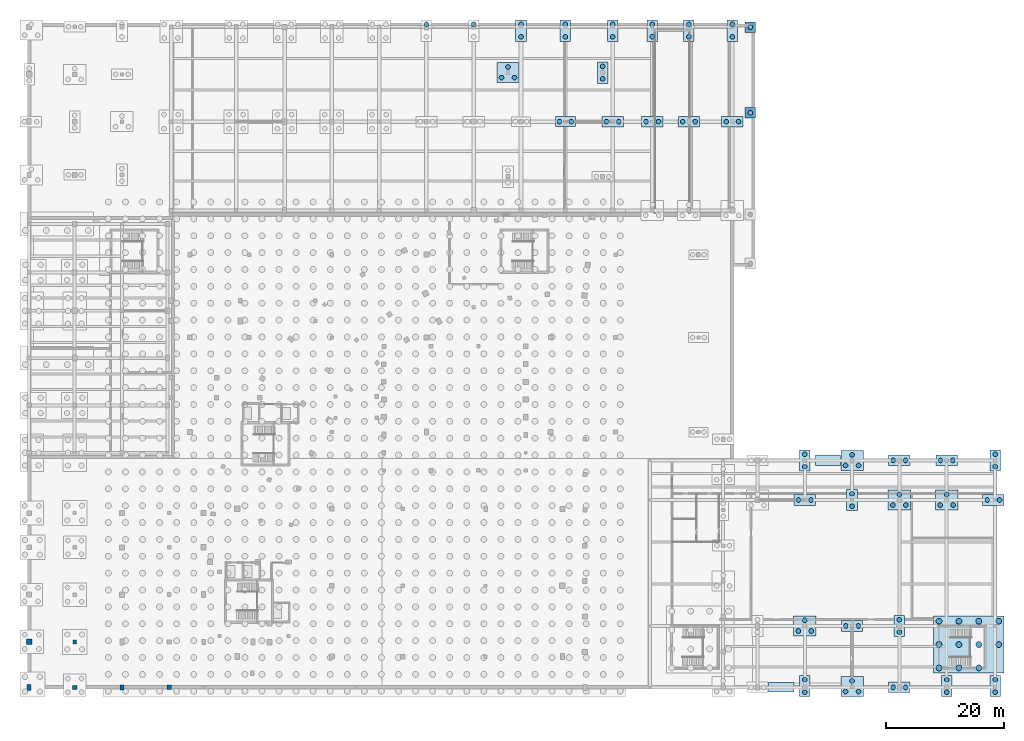
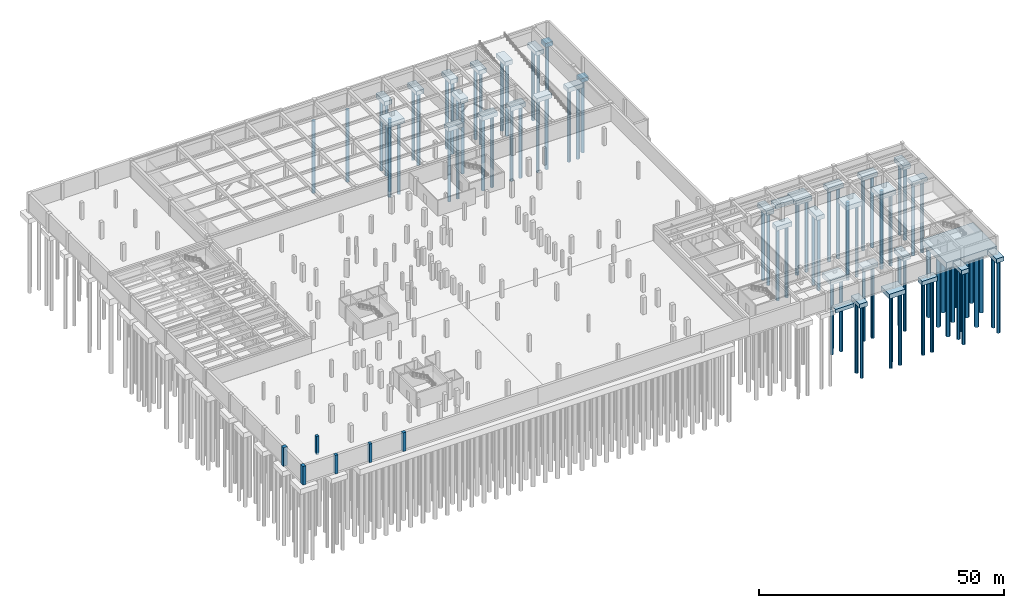
# One storey, part 7 of 36: 83 piles, 36 footings, 6 columns.
"""IFC4 building model written with IfcOpenShell, lengths in metres."""

import ifcopenshell
import ifcopenshell.guid

model = None  # the IFC model being written
_history = None  # IfcOwnerHistory: only IFC2X3 demands one
_inside = {}  # id of a spatial element -> (the spatial element, [elements in it])
_under = {}  # id of a project, library or spatial element -> (it, [spatial elements below it])
_declared = {}  # id of a project -> (the project, [libraries it declares])
_typed = {}  # id of a type object -> (the type object, [elements of that type])
_made_of = {}  # id of a material, layer set ... -> (it, [elements and type objects made of it])


def new_model(schema):
    """Start an empty IFC model of exactly this schema.

    Asked for "IFC4X3", IfcOpenShell would pick the latest addendum, in which some entities
    have other attributes; the version numbers below select the first issue.
    IFC2X3 requires an IfcOwnerHistory on every rooted entity: one is made here for all.
    """
    global model, _history
    if schema == "IFC4X3":
        model = ifcopenshell.file(schema_version=(4, 3, 0, 0))
    else:
        model = ifcopenshell.file(schema=schema)
    _inside.clear()
    _under.clear()
    _declared.clear()
    _typed.clear()
    _made_of.clear()
    _history = None
    if model.schema == "IFC2X3":
        org = make("IfcOrganization", Name="unknown")
        user = make(
            "IfcPersonAndOrganization",
            ThePerson=make("IfcPerson", FamilyName="unknown"),
            TheOrganization=org,
        )
        app = make(
            "IfcApplication",
            ApplicationDeveloper=org,
            Version="unknown",
            ApplicationFullName="unknown",
            ApplicationIdentifier="unknown",
        )
        _history = make(
            "IfcOwnerHistory",
            OwningUser=user,
            OwningApplication=app,
            ChangeAction="ADDED",
            CreationDate=0,
        )
    return model


def make(cls, **values):
    """One entity of the class cls with the attributes given. An attribute that is None is left unset."""
    return model.create_entity(
        cls, **{name: value for name, value in values.items() if value is not None}
    )


def rooted(cls, **values):
    """An entity with a GlobalId (a new one), such as an element, a storey or a relation."""
    return make(cls, GlobalId=ifcopenshell.guid.new(), OwnerHistory=_history, **values)


def si_unit(unit_type, name, prefix=None):
    """IfcSIUnit, for example si_unit("LENGTHUNIT", "METRE", prefix="MILLI")."""
    return make("IfcSIUnit", UnitType=unit_type, Prefix=prefix, Name=name)


def assignment(units):
    """IfcUnitAssignment: the units of a project."""
    return None if units is None else make("IfcUnitAssignment", Units=units)


def point(xyz):
    """IfcCartesianPoint."""
    return None if xyz is None else make("IfcCartesianPoint", Coordinates=xyz)


def direction(xyz):
    """IfcDirection."""
    return None if xyz is None else make("IfcDirection", DirectionRatios=xyz)


def frame(location, z_axis=None, x_axis=None):
    """IfcAxis2Placement3D, a coordinate frame: its origin and axes. An axis left out is left unset."""
    return make(
        "IfcAxis2Placement3D",
        Location=point(location),
        Axis=direction(z_axis),
        RefDirection=direction(x_axis),
    )


def frame_2d(location, x_axis=None):
    """IfcAxis2Placement2D, a coordinate frame in the plane: its origin and x axis."""
    return make(
        "IfcAxis2Placement2D", Location=point(location), RefDirection=direction(x_axis)
    )


def origin():
    """The frame at (0, 0, 0) with its axes left unset."""
    return frame((0.0, 0.0, 0.0))


def origin_2d():
    """The frame at (0, 0) in the plane with its x axis left unset."""
    return frame_2d((0.0, 0.0))


def place(relative_to, where):
    """IfcLocalPlacement: puts the frame where relative to a parent placement (None: the world)."""
    return make(
        "IfcLocalPlacement", PlacementRelTo=relative_to, RelativePlacement=where
    )


def context(
    kind, dimensions, precision=None, world=None, true_north=None, identifier=None
):
    """IfcGeometricRepresentationContext, for example the 3D "Model" context."""
    return make(
        "IfcGeometricRepresentationContext",
        ContextIdentifier=identifier,
        ContextType=kind,
        CoordinateSpaceDimension=dimensions,
        Precision=precision,
        WorldCoordinateSystem=world,
        TrueNorth=true_north,
    )


def subcontext(parent, identifier, kind, view, scale=None):
    """IfcGeometricRepresentationSubContext, for example "Body" below "Model"."""
    return make(
        "IfcGeometricRepresentationSubContext",
        ContextIdentifier=identifier,
        ContextType=kind,
        ParentContext=parent,
        TargetScale=scale,
        TargetView=view,
    )


def project(units=None, contexts=None):
    """IfcProject with its units and contexts."""
    return rooted(
        "IfcProject",
        Name="project",
        RepresentationContexts=contexts,
        UnitsInContext=assignment(units),
    )


def spatial(cls, under=None, at=None, **own):
    """A site, building, storey or space (cls), placed at a placement, below another one or the project."""
    s = rooted(cls, ObjectPlacement=at, **own)
    if under is not None:
        _under.setdefault(under.id(), (under, []))[1].append(s)
    return s


def polyline(points):
    """IfcPolyline through the points."""
    return make("IfcPolyline", Points=[point(p) for p in points])


def profile(cls, at=None, kind="AREA", **sizes):
    """A parametric profile (cls). Its sizes go by their IFC names, for example OverallWidth=200.0."""
    return make(cls, ProfileType=kind, Position=at, **sizes)


def rectangle(**sizes):
    """IfcRectangleProfileDef."""
    return profile("IfcRectangleProfileDef", **sizes)


def circle(**sizes):
    """IfcCircleProfileDef."""
    return profile("IfcCircleProfileDef", **sizes)


def outline(outer, holes=None, kind="AREA"):
    """IfcArbitraryClosedProfileDef: a profile drawn as a closed curve; with holes, ...WithVoids."""
    if holes is None:
        return make("IfcArbitraryClosedProfileDef", ProfileType=kind, OuterCurve=outer)
    return make(
        "IfcArbitraryProfileDefWithVoids",
        ProfileType=kind,
        OuterCurve=outer,
        InnerCurves=holes,
    )


def extrude(swept, where, along, depth):
    """IfcExtrudedAreaSolid: the profile swept, set in the frame where, extruded along a direction by depth."""
    return make(
        "IfcExtrudedAreaSolid",
        SweptArea=swept,
        Position=where,
        ExtrudedDirection=direction(along),
        Depth=depth,
    )


def shape(context_of_items, identifier, shape_type, items):
    """IfcShapeRepresentation: the items that make up one representation, for example the "Body"."""
    return make(
        "IfcShapeRepresentation",
        ContextOfItems=context_of_items,
        RepresentationIdentifier=identifier,
        RepresentationType=shape_type,
        Items=items,
    )


def material(Name=None, Category=None):
    """IfcMaterial."""
    return make("IfcMaterial", Name=Name, Category=Category)


def material_profile(
    of_material, cross_section, Name=None, Category=None, Priority=None
):
    """IfcMaterialProfile: a cross section and its material."""
    return make(
        "IfcMaterialProfile",
        Name=Name,
        Material=of_material,
        Profile=cross_section,
        Priority=Priority,
        Category=Category,
    )


def profile_set(profiles, Name=None, composite=None):
    """IfcMaterialProfileSet."""
    return make(
        "IfcMaterialProfileSet",
        Name=Name,
        MaterialProfiles=profiles,
        CompositeProfile=composite,
    )


def made_of(thing, what):
    """Note that an element or type object is made of a material, layer set ...; save() writes the relation."""
    if what is not None:
        _made_of.setdefault(what.id(), (what, []))[1].append(thing)
    return thing


def type_object(cls, material=None, **own):
    """A type object (cls), such as IfcWallType, which elements share."""
    return made_of(rooted(cls, **own), material)


def element(
    cls,
    number,
    at=None,
    inside=None,
    cuts=None,
    type_object=None,
    material=None,
    context=None,
    identifier="Body",
    shape_type=None,
    held_by="IfcProductDefinitionShape",
    body=None,
    shapes=None,
    **own,
):
    """One element of the class cls, such as IfcWall. Its Tag is "e" and its number.

    at: its placement. inside: the storey or other place that contains it. cuts: it is an
    opening in that element (IfcRelVoidsElement). A single representation is given by context,
    identifier, shape_type and body (its items); several are given by shapes. held_by: the class
    of the entity that holds the representations. save() writes the other relations.
    """
    e = rooted(cls, Tag="e%d" % number, ObjectPlacement=at, **own)
    if body is not None:
        shapes = [shape(context, identifier, shape_type, body)]
    if shapes is not None:
        e.Representation = make(held_by, Representations=shapes)
    if inside is not None:
        _inside.setdefault(inside.id(), (inside, []))[1].append(e)
    if cuts is not None:
        rooted(
            "IfcRelVoidsElement", RelatingBuildingElement=cuts, RelatedOpeningElement=e
        )
    if type_object is not None:
        _typed.setdefault(type_object.id(), (type_object, []))[1].append(e)
    return made_of(e, material)


def aggregate(whole, parts):
    """IfcRelAggregates: a whole, such as a stair, and the parts it consists of."""
    return rooted("IfcRelAggregates", RelatingObject=whole, RelatedObjects=parts)


def save(model, path):
    """Write the relations noted so far, then the file.

    IfcRelAggregates (storeys below a building ...), IfcRelContainedInSpatialStructure (elements
    in a storey), IfcRelDefinesByType, IfcRelAssociatesMaterial and IfcRelDeclares: one each for
    every whole, place, type object, material and project.
    """
    for whole, parts in _under.values():
        aggregate(whole, parts)
    for where, things in _inside.values():
        rooted(
            "IfcRelContainedInSpatialStructure",
            RelatedElements=things,
            RelatingStructure=where,
        )
    for kind, things in _typed.values():
        rooted("IfcRelDefinesByType", RelatedObjects=things, RelatingType=kind)
    for what, things in _made_of.values():
        rooted("IfcRelAssociatesMaterial", RelatedObjects=things, RelatingMaterial=what)
    for by, libraries in _declared.values():
        rooted("IfcRelDeclares", RelatingContext=by, RelatedDefinitions=libraries)
    model.write(path)


model = new_model("IFC4")

# Units and contexts
model_context = context("Model", 3, precision=1e-05, world=origin(), true_north=direction((0.0, 1.0)))
body_context = subcontext(model_context, "Body", "Model", "MODEL_VIEW")
ifc_project = project(units=[si_unit("LENGTHUNIT", "METRE"), si_unit("AREAUNIT", "SQUARE_METRE"), si_unit("VOLUMEUNIT", "CUBIC_METRE"), si_unit("PLANEANGLEUNIT", "RADIAN"), si_unit("MASSUNIT", "GRAM", prefix="KILO"), si_unit("THERMODYNAMICTEMPERATUREUNIT", "KELVIN"), si_unit("POWERUNIT", "WATT")], contexts=[model_context])

# Site, building, storey
site_placement = place(None, origin())
site = spatial("IfcSite", under=ifc_project, at=site_placement, CompositionType="ELEMENT")
building_placement = place(site_placement, origin())
building = spatial("IfcBuilding", under=site, at=building_placement, Name="Solvatero Civic Police Headquarters", CompositionType="ELEMENT")
storey_placement = place(building_placement, frame((0.0, 0.0, -8.39990234375)))
storey = spatial("IfcBuildingStorey", under=building, at=storey_placement, Name="B02", CompositionType="ELEMENT", Elevation=-8.39990234375)

# Footings
ifc_material_1 = material(Name="Concrete C35/45", Category="concrete")
footing_type_1 = type_object("IfcFootingType", Name="PC-1P-180x180x100", PredefinedType="PILE_CAP", material=ifc_material_1)
for number, where, z_axis, x_axis, name in (
    (1, (126.800048828125, 102.0, -1.440185546875), (0.0, 0.0, 1.0), (1.0, 0.0, 0.0), "Driveway Pier Pile Cap 3"),
    (2, (126.800048828125, 116.5, -1.440185546875), (0.0, 0.0, 1.0), (1.0, 0.0, 0.0), "Driveway Pier Pile Cap 4"),
):
    element("IfcFooting", number, at=place(storey_placement, frame(where, z_axis=z_axis, x_axis=x_axis)), inside=storey, type_object=footing_type_1, Name=name, PredefinedType="PILE_CAP", context=body_context, shape_type="SweptSolid", body=[
        extrude(rectangle(XDim=1.800048828125, YDim=1.800048828125, at=origin_2d()), origin(), (0.0, 0.0, 1.0), 1.0),
    ])
footing_type_2 = type_object("IfcFootingType", Name="PC-2P-180x360x110", PredefinedType="PILE_CAP", material=ifc_material_1)
for number, where, z_axis, x_axis, name in (
    (3, (101.800048828125, 108.800048828125, -1.5400390625), (0.0, 0.0, 1.0), (1.0, 0.0, 0.0), "Pile Cap FTG-R2-CUSY-NE"),
    (4, (136.0, 5.050048828125, -1.5400390625), (0.0, 0.0, 1.0), (1.0, 0.0, 0.0), "Pile Cap FTG-R2-V3-X2Y1"),
    (5, (136.0, 43.199951171875, -1.5400390625), (0.0, 0.0, 1.0), (1.0, 0.0, 0.0), "Pile Cap FTG-R2-V3-X2Y4"),
    (6, (144.0, 36.5, -1.5400390625), (0.0, 0.0, 1.0), (1.0, 0.0, 0.0), "Pile Cap FTG-R2-V3-X3Y3"),
    (7, (152.0, 15.199951171875, -1.5400390625), (0.0, 0.0, 1.0), (1.0, 0.0, 0.0), "Pile Cap FTG-R2-V3-X4Y2"),
    (8, (160.0, 5.050048828125, -1.5400390625), (0.0, 0.0, 1.0), (1.0, 0.0, 0.0), "Pile Cap FTG-R2-V3-X5Y1"),
    (9, (168.199951171875, 5.050048828125, -1.5400390625), (0.0, 0.0, 1.0), (1.0, 0.0, 0.0), "Pile Cap FTG-R2-V3-X6Y1"),
    (10, (168.199951171875, 43.199951171875, -1.5400390625), (0.0, 0.0, 1.0), (1.0, 0.0, 0.0), "Pile Cap FTG-R2-V3-X6Y4"),
    (11, (103.5, 115.89990234375, -1.5400390625), (0.0, 0.0, 1.0), (1.0, 0.0, 0.0), "Pile Cap FTG-R2-V7-X10Y3"),
    (12, (110.199951171875, 115.89990234375, -1.5400390625), (0.0, 0.0, 1.0), (1.0, 0.0, 0.0), "Pile Cap FTG-R2-V7-X11Y3"),
    (13, (116.39990234375, 115.89990234375, -1.5400390625), (0.0, 0.0, 1.0), (1.0, 0.0, 0.0), "Pile Cap FTG-R2-V7-X12Y3"),
    (14, (123.75, 115.89990234375, -1.5400390625), (0.0, 0.0, 1.0), (1.0, 0.0, 0.0), "Pile Cap FTG-R2-V7-X13Y3"),
    (15, (88.0, 115.89990234375, -1.5400390625), (0.0, 0.0, 1.0), (1.0, 0.0, 0.0), "Pile Cap FTG-R2-V7-X8Y3"),
    (16, (95.5, 115.89990234375, -1.5400390625), (0.0, 0.0, 1.0), (1.0, 0.0, 0.0), "Pile Cap FTG-R2-V7-X9Y3"),
):
    element("IfcFooting", number, at=place(storey_placement, frame(where, z_axis=z_axis, x_axis=x_axis)), inside=storey, type_object=footing_type_2, Name=name, PredefinedType="PILE_CAP", context=body_context, shape_type="SweptSolid", body=[
        extrude(rectangle(XDim=1.800048828125, YDim=3.60009765625, at=origin_2d()), origin(), (0.0, 0.0, 1.0), 1.10009765625),
    ])
footing_type_3 = type_object("IfcFootingType", Name="PC-2P-340x170x105", PredefinedType="PILE_CAP", material=ifc_material_1)
footing_1_placement = place(storey_placement, frame((95.5, 100.5, -1.490234375), z_axis=(0.0, 0.0, 1.0), x_axis=(1.0, 0.0, 0.0)))
element("IfcFooting", 17, at=footing_1_placement, inside=storey, type_object=footing_type_3, Name="Pile Cap FTG-R2-V7-X9Y2", PredefinedType="PILE_CAP", context=body_context, shape_type="SweptSolid", body=[
    extrude(rectangle(XDim=3.39990234375, YDim=1.699951171875, at=origin_2d()), origin(), (0.0, 0.0, 1.0), 1.050048828125),
])
footing_type_4 = type_object("IfcFootingType", Name="PC-2P-360x180x110", PredefinedType="PILE_CAP", material=ifc_material_1)
for number, where, z_axis, x_axis, name in (
    (18, (136.0, 36.5, -1.5400390625), (0.0, 0.0, 1.0), (1.0, 0.0, 0.0), "Pile Cap FTG-R2-V3-X2Y3"),
    (19, (144.0, 15.199951171875, -1.5400390625), (0.0, 0.0, 1.0), (1.0, 0.0, 0.0), "Pile Cap FTG-R2-V3-X3Y2"),
    (20, (152.0, 4.800048828125, -1.5400390625), (0.0, 0.0, 1.0), (1.0, 0.0, 0.0), "Pile Cap FTG-R2-V3-X4Y1"),
    (21, (152.0, 43.199951171875, -1.5400390625), (0.0, 0.0, 1.0), (1.0, 0.0, 0.0), "Pile Cap FTG-R2-V3-X4Y4"),
    (22, (160.0, 43.199951171875, -1.5400390625), (0.0, 0.0, 1.0), (1.0, 0.0, 0.0), "Pile Cap FTG-R2-V3-X5Y4"),
    (23, (167.89990234375, 36.5, -1.5400390625), (0.0, 0.0, 1.0), (1.0, 0.0, 0.0), "Pile Cap FTG-R2-V3-X6Y3"),
    (24, (103.5, 100.5, -1.5400390625), (0.0, 0.0, 1.0), (1.0, 0.0, 0.0), "Pile Cap FTG-R2-V7-X10Y2"),
    (25, (110.199951171875, 100.5, -1.5400390625), (0.0, 0.0, 1.0), (1.0, 0.0, 0.0), "Pile Cap FTG-R2-V7-X11Y2"),
    (26, (116.39990234375, 100.5, -1.5400390625), (0.0, 0.0, 1.0), (1.0, 0.0, 0.0), "Pile Cap FTG-R2-V7-X12Y2"),
    (27, (123.75, 100.5, -1.5400390625), (0.0, 0.0, 1.0), (1.0, 0.0, 0.0), "Pile Cap FTG-R2-V7-X13Y2"),
):
    element("IfcFooting", number, at=place(storey_placement, frame(where, z_axis=z_axis, x_axis=x_axis)), inside=storey, type_object=footing_type_4, Name=name, PredefinedType="PILE_CAP", context=body_context, shape_type="SweptSolid", body=[
        extrude(rectangle(XDim=3.60009765625, YDim=1.800048828125, at=origin_2d()), origin(), (0.0, 0.0, 1.0), 1.10009765625),
    ])
footing_type_5 = type_object("IfcFootingType", Name="PC-3P-380x340x115", PredefinedType="PILE_CAP", material=ifc_material_1)
for number, where, z_axis, x_axis, name in (
    (28, (85.800048828125, 108.800048828125, -1.590087890625), (0.0, 0.0, 1.0), (1.0, 0.0, 0.0), "Pile Cap FTG-R2-CUSY-NW"),
    (29, (136.0, 15.199951171875, -1.590087890625), (0.0, 0.0, 1.0), (1.0, 0.0, 0.0), "Pile Cap FTG-R2-V3-X2Y2"),
    (30, (144.0, 4.949951171875, -1.590087890625), (0.0, 0.0, 1.0), (1.0, 0.0, 0.0), "Pile Cap FTG-R2-V3-X3Y1"),
    (31, (144.0, 43.199951171875, -1.590087890625), (0.0, 0.0, 1.0), (1.0, 0.0, 0.0), "Pile Cap FTG-R2-V3-X3Y4"),
    (32, (152.0, 36.5, -1.590087890625), (0.0, 0.0, 1.0), (1.0, 0.0, 0.0), "Pile Cap FTG-R2-V3-X4Y3"),
    (33, (160.0, 36.5, -1.590087890625), (0.0, 0.0, 1.0), (1.0, 0.0, 0.0), "Pile Cap FTG-R2-V3-X5Y3"),
):
    element("IfcFooting", number, at=place(storey_placement, frame(where, z_axis=z_axis, x_axis=x_axis)), inside=storey, type_object=footing_type_5, Name=name, PredefinedType="PILE_CAP", context=body_context, shape_type="SweptSolid", body=[
        extrude(rectangle(XDim=3.800048828125, YDim=3.39990234375, at=origin_2d()), origin(), (0.0, 0.0, 1.0), 1.14990234375),
    ])
footing_type_6 = type_object("IfcFootingType", Name="PC-COMB-03", PredefinedType="PILE_CAP", material=ifc_material_1)
footing_2_placement = place(storey_placement, frame((163.75, 12.050048828125, -1.93017578125), z_axis=(0.0, 0.0, 1.0), x_axis=(1.0, 0.0, 0.0)))
element("IfcFooting", 34, at=footing_2_placement, inside=storey, type_object=footing_type_6, Name="Combined Pile Cap FTG-R2-CMB-V3-X6Y2", PredefinedType="PILE_CAP", context=body_context, shape_type="SweptSolid", body=[
    extrude(rectangle(XDim=11.89990234375, YDim=9.699951171875, at=origin_2d()), origin(), (0.0, 0.0, 1.0), 1.489990234375),
])

# Piles
ifc_material_2 = material(Name="Concrete C32/40", Category="concrete")
ifc_material_profile_1 = material_profile(ifc_material_2, circle(Radius=0.5, at=origin_2d()), Name="CFA PILE D1000")
ifc_profile_set_1 = profile_set([ifc_material_profile_1], Name="Concrete C32/40")
pile_type_1 = type_object("IfcPileType", Name="PL-CFA-1000", PredefinedType="BORED", material=ifc_profile_set_1)
for number, where, z_axis, x_axis, name in (
    (35, (158.699951171875, 8.10009765625, -1.830078125), (0.0, 0.0, -1.0), (1.0, 0.0, 0.0), "Bored Pile V3-X6Y2-1"),
    (36, (158.699951171875, 12.050048828125, -1.830078125), (0.0, 0.0, -1.0), (1.0, 0.0, 0.0), "Bored Pile V3-X6Y2-2"),
    (37, (158.699951171875, 16.0, -1.830078125), (0.0, 0.0, -1.0), (1.0, 0.0, 0.0), "Bored Pile V3-X6Y2-3"),
    (38, (162.066650390625, 8.10009765625, -1.830078125), (0.0, 0.0, -1.0), (1.0, 0.0, 0.0), "Bored Pile V3-X6Y2-4"),
    (39, (162.066650390625, 12.050048828125, -1.830078125), (0.0, 0.0, -1.0), (1.0, 0.0, 0.0), "Bored Pile V3-X6Y2-5"),
    (40, (162.066650390625, 16.0, -1.830078125), (0.0, 0.0, -1.0), (1.0, 0.0, 0.0), "Bored Pile V3-X6Y2-6"),
    (41, (165.433349609375, 8.10009765625, -1.830078125), (0.0, 0.0, -1.0), (1.0, 0.0, 0.0), "Bored Pile V3-X6Y2-7"),
    (42, (165.433349609375, 12.050048828125, -1.830078125), (0.0, 0.0, -1.0), (1.0, 0.0, 0.0), "Bored Pile V3-X6Y2-8"),
    (43, (165.433349609375, 16.0, -1.830078125), (0.0, 0.0, -1.0), (1.0, 0.0, 0.0), "Bored Pile V3-X6Y2-9"),
    (44, (168.800048828125, 12.050048828125, -1.830078125), (0.0, 0.0, -1.0), (1.0, 0.0, 0.0), "Bored Pile V3-X6Y2-10"),
    (45, (168.800048828125, 16.0, -1.830078125), (0.0, 0.0, -1.0), (1.0, 0.0, 0.0), "Bored Pile V3-X6Y2-11"),
):
    element("IfcPile", number, at=place(storey_placement, frame(where, z_axis=z_axis, x_axis=x_axis)), inside=storey, type_object=pile_type_1, Name=name, PredefinedType="BORED", context=body_context, shape_type="SweptSolid", body=[
        extrude(circle(Radius=0.5, at=origin_2d()), origin(), (0.0, 0.0, 1.0), 17.6201171875),
    ])
ifc_material_profile_2 = material_profile(ifc_material_2, circle(Radius=0.39990234375, at=origin_2d()), Name="CFA PILE D800")
ifc_profile_set_2 = profile_set([ifc_material_profile_2], Name="Concrete C32/40")
pile_type_2 = type_object("IfcPileType", Name="PL-CFA-800", PredefinedType="BORED", material=ifc_profile_set_2)
for number, where, z_axis, x_axis, name in (
    (46, (101.800048828125, 107.75, -1.440185546875), (0.0, 0.0, -1.0), (1.0, 0.0, 0.0), "Bored Pile CUSY-NE-1"),
    (47, (101.800048828125, 109.85009765625, -1.440185546875), (0.0, 0.0, -1.0), (1.0, 0.0, 0.0), "Bored Pile CUSY-NE-2"),
):
    element("IfcPile", number, at=place(storey_placement, frame(where, z_axis=z_axis, x_axis=x_axis)), inside=storey, type_object=pile_type_2, Name=name, PredefinedType="BORED", context=body_context, shape_type="SweptSolid", body=[
        extrude(circle(Radius=0.39990234375, at=origin_2d()), origin(), (0.0, 0.0, 1.0), 18.010009765625),
    ])
for number, where, z_axis, x_axis, name in (
    (48, (84.699951171875, 107.949951171875, -1.489990234375), (0.0, 0.0, -1.0), (1.0, 0.0, 0.0), "Bored Pile CUSY-NW-1"),
    (49, (86.89990234375, 107.949951171875, -1.489990234375), (0.0, 0.0, -1.0), (1.0, 0.0, 0.0), "Bored Pile CUSY-NW-2"),
    (50, (85.800048828125, 109.75, -1.489990234375), (0.0, 0.0, -1.0), (1.0, 0.0, 0.0), "Bored Pile CUSY-NW-3"),
):
    element("IfcPile", number, at=place(storey_placement, frame(where, z_axis=z_axis, x_axis=x_axis)), inside=storey, type_object=pile_type_2, Name=name, PredefinedType="BORED", context=body_context, shape_type="SweptSolid", body=[
        extrude(circle(Radius=0.39990234375, at=origin_2d()), origin(), (0.0, 0.0, 1.0), 17.9599609375),
    ])
for number, where, z_axis, x_axis, name in (
    (51, (136.0, 4.0, -1.440185546875), (0.0, 0.0, -1.0), (1.0, 0.0, 0.0), "Bored Pile V3-X2Y1-1"),
    (52, (136.0, 6.10009765625, -1.440185546875), (0.0, 0.0, -1.0), (1.0, 0.0, 0.0), "Bored Pile V3-X2Y1-2"),
):
    element("IfcPile", number, at=place(storey_placement, frame(where, z_axis=z_axis, x_axis=x_axis)), inside=storey, type_object=pile_type_2, Name=name, PredefinedType="BORED", context=body_context, shape_type="SweptSolid", body=[
        extrude(circle(Radius=0.39990234375, at=origin_2d()), origin(), (0.0, 0.0, 1.0), 18.010009765625),
    ])
for number, where, z_axis, x_axis, name in (
    (53, (134.89990234375, 14.35009765625, -1.489990234375), (0.0, 0.0, -1.0), (1.0, 0.0, 0.0), "Bored Pile V3-X2Y2-1"),
    (54, (137.10009765625, 14.35009765625, -1.489990234375), (0.0, 0.0, -1.0), (1.0, 0.0, 0.0), "Bored Pile V3-X2Y2-2"),
    (55, (136.0, 16.14990234375, -1.489990234375), (0.0, 0.0, -1.0), (1.0, 0.0, 0.0), "Bored Pile V3-X2Y2-3"),
):
    element("IfcPile", number, at=place(storey_placement, frame(where, z_axis=z_axis, x_axis=x_axis)), inside=storey, type_object=pile_type_2, Name=name, PredefinedType="BORED", context=body_context, shape_type="SweptSolid", body=[
        extrude(circle(Radius=0.39990234375, at=origin_2d()), origin(), (0.0, 0.0, 1.0), 17.9599609375),
    ])
for number, where, z_axis, x_axis, name in (
    (56, (134.949951171875, 36.5, -1.440185546875), (0.0, 0.0, -1.0), (1.0, 0.0, 0.0), "Bored Pile V3-X2Y3-1"),
    (57, (137.050048828125, 36.5, -1.440185546875), (0.0, 0.0, -1.0), (1.0, 0.0, 0.0), "Bored Pile V3-X2Y3-2"),
    (58, (136.0, 42.14990234375, -1.440185546875), (0.0, 0.0, -1.0), (1.0, 0.0, 0.0), "Bored Pile V3-X2Y4-1"),
    (59, (136.0, 44.25, -1.440185546875), (0.0, 0.0, -1.0), (1.0, 0.0, 0.0), "Bored Pile V3-X2Y4-2"),
):
    element("IfcPile", number, at=place(storey_placement, frame(where, z_axis=z_axis, x_axis=x_axis)), inside=storey, type_object=pile_type_2, Name=name, PredefinedType="BORED", context=body_context, shape_type="SweptSolid", body=[
        extrude(circle(Radius=0.39990234375, at=origin_2d()), origin(), (0.0, 0.0, 1.0), 18.010009765625),
    ])
for number, where, z_axis, x_axis, name in (
    (60, (142.89990234375, 4.10009765625, -1.489990234375), (0.0, 0.0, -1.0), (1.0, 0.0, 0.0), "Bored Pile V3-X3Y1-1"),
    (61, (145.10009765625, 4.10009765625, -1.489990234375), (0.0, 0.0, -1.0), (1.0, 0.0, 0.0), "Bored Pile V3-X3Y1-2"),
    (62, (144.0, 5.89990234375, -1.489990234375), (0.0, 0.0, -1.0), (1.0, 0.0, 0.0), "Bored Pile V3-X3Y1-3"),
):
    element("IfcPile", number, at=place(storey_placement, frame(where, z_axis=z_axis, x_axis=x_axis)), inside=storey, type_object=pile_type_2, Name=name, PredefinedType="BORED", context=body_context, shape_type="SweptSolid", body=[
        extrude(circle(Radius=0.39990234375, at=origin_2d()), origin(), (0.0, 0.0, 1.0), 17.9599609375),
    ])
for number, where, z_axis, x_axis, name in (
    (63, (142.949951171875, 15.199951171875, -1.440185546875), (0.0, 0.0, -1.0), (1.0, 0.0, 0.0), "Bored Pile V3-X3Y2-1"),
    (64, (145.050048828125, 15.199951171875, -1.440185546875), (0.0, 0.0, -1.0), (1.0, 0.0, 0.0), "Bored Pile V3-X3Y2-2"),
    (65, (144.0, 35.449951171875, -1.440185546875), (0.0, 0.0, -1.0), (1.0, 0.0, 0.0), "Bored Pile V3-X3Y3-1"),
    (66, (144.0, 37.550048828125, -1.440185546875), (0.0, 0.0, -1.0), (1.0, 0.0, 0.0), "Bored Pile V3-X3Y3-2"),
):
    element("IfcPile", number, at=place(storey_placement, frame(where, z_axis=z_axis, x_axis=x_axis)), inside=storey, type_object=pile_type_2, Name=name, PredefinedType="BORED", context=body_context, shape_type="SweptSolid", body=[
        extrude(circle(Radius=0.39990234375, at=origin_2d()), origin(), (0.0, 0.0, 1.0), 18.010009765625),
    ])
for number, where, z_axis, x_axis, name in (
    (67, (142.89990234375, 42.35009765625, -1.489990234375), (0.0, 0.0, -1.0), (1.0, 0.0, 0.0), "Bored Pile V3-X3Y4-1"),
    (68, (145.10009765625, 42.35009765625, -1.489990234375), (0.0, 0.0, -1.0), (1.0, 0.0, 0.0), "Bored Pile V3-X3Y4-2"),
    (69, (144.0, 44.14990234375, -1.489990234375), (0.0, 0.0, -1.0), (1.0, 0.0, 0.0), "Bored Pile V3-X3Y4-3"),
):
    element("IfcPile", number, at=place(storey_placement, frame(where, z_axis=z_axis, x_axis=x_axis)), inside=storey, type_object=pile_type_2, Name=name, PredefinedType="BORED", context=body_context, shape_type="SweptSolid", body=[
        extrude(circle(Radius=0.39990234375, at=origin_2d()), origin(), (0.0, 0.0, 1.0), 17.9599609375),
    ])
for number, where, z_axis, x_axis, name in (
    (70, (150.949951171875, 4.800048828125, -1.440185546875), (0.0, 0.0, -1.0), (1.0, 0.0, 0.0), "Bored Pile V3-X4Y1-1"),
    (71, (153.050048828125, 4.800048828125, -1.440185546875), (0.0, 0.0, -1.0), (1.0, 0.0, 0.0), "Bored Pile V3-X4Y1-2"),
    (72, (152.0, 14.14990234375, -1.440185546875), (0.0, 0.0, -1.0), (1.0, 0.0, 0.0), "Bored Pile V3-X4Y2-1"),
    (73, (152.0, 16.25, -1.440185546875), (0.0, 0.0, -1.0), (1.0, 0.0, 0.0), "Bored Pile V3-X4Y2-2"),
):
    element("IfcPile", number, at=place(storey_placement, frame(where, z_axis=z_axis, x_axis=x_axis)), inside=storey, type_object=pile_type_2, Name=name, PredefinedType="BORED", context=body_context, shape_type="SweptSolid", body=[
        extrude(circle(Radius=0.39990234375, at=origin_2d()), origin(), (0.0, 0.0, 1.0), 18.010009765625),
    ])
for number, where, z_axis, x_axis, name in (
    (74, (150.89990234375, 35.64990234375, -1.489990234375), (0.0, 0.0, -1.0), (1.0, 0.0, 0.0), "Bored Pile V3-X4Y3-1"),
    (75, (153.10009765625, 35.64990234375, -1.489990234375), (0.0, 0.0, -1.0), (1.0, 0.0, 0.0), "Bored Pile V3-X4Y3-2"),
    (76, (152.0, 37.449951171875, -1.489990234375), (0.0, 0.0, -1.0), (1.0, 0.0, 0.0), "Bored Pile V3-X4Y3-3"),
):
    element("IfcPile", number, at=place(storey_placement, frame(where, z_axis=z_axis, x_axis=x_axis)), inside=storey, type_object=pile_type_2, Name=name, PredefinedType="BORED", context=body_context, shape_type="SweptSolid", body=[
        extrude(circle(Radius=0.39990234375, at=origin_2d()), origin(), (0.0, 0.0, 1.0), 17.9599609375),
    ])
for number, where, z_axis, x_axis, name in (
    (77, (150.949951171875, 43.199951171875, -1.440185546875), (0.0, 0.0, -1.0), (1.0, 0.0, 0.0), "Bored Pile V3-X4Y4-1"),
    (78, (153.050048828125, 43.199951171875, -1.440185546875), (0.0, 0.0, -1.0), (1.0, 0.0, 0.0), "Bored Pile V3-X4Y4-2"),
    (79, (160.0, 4.0, -1.440185546875), (0.0, 0.0, -1.0), (1.0, 0.0, 0.0), "Bored Pile V3-X5Y1-1"),
    (80, (160.0, 6.10009765625, -1.440185546875), (0.0, 0.0, -1.0), (1.0, 0.0, 0.0), "Bored Pile V3-X5Y1-2"),
):
    element("IfcPile", number, at=place(storey_placement, frame(where, z_axis=z_axis, x_axis=x_axis)), inside=storey, type_object=pile_type_2, Name=name, PredefinedType="BORED", context=body_context, shape_type="SweptSolid", body=[
        extrude(circle(Radius=0.39990234375, at=origin_2d()), origin(), (0.0, 0.0, 1.0), 18.010009765625),
    ])
for number, where, z_axis, x_axis, name in (
    (81, (158.89990234375, 35.64990234375, -1.489990234375), (0.0, 0.0, -1.0), (1.0, 0.0, 0.0), "Bored Pile V3-X5Y3-1"),
    (82, (161.10009765625, 35.64990234375, -1.489990234375), (0.0, 0.0, -1.0), (1.0, 0.0, 0.0), "Bored Pile V3-X5Y3-2"),
    (83, (160.0, 37.449951171875, -1.489990234375), (0.0, 0.0, -1.0), (1.0, 0.0, 0.0), "Bored Pile V3-X5Y3-3"),
):
    element("IfcPile", number, at=place(storey_placement, frame(where, z_axis=z_axis, x_axis=x_axis)), inside=storey, type_object=pile_type_2, Name=name, PredefinedType="BORED", context=body_context, shape_type="SweptSolid", body=[
        extrude(circle(Radius=0.39990234375, at=origin_2d()), origin(), (0.0, 0.0, 1.0), 17.9599609375),
    ])
for number, where, z_axis, x_axis, name in (
    (84, (158.949951171875, 43.199951171875, -1.440185546875), (0.0, 0.0, -1.0), (1.0, 0.0, 0.0), "Bored Pile V3-X5Y4-1"),
    (85, (161.050048828125, 43.199951171875, -1.440185546875), (0.0, 0.0, -1.0), (1.0, 0.0, 0.0), "Bored Pile V3-X5Y4-2"),
    (86, (168.199951171875, 4.0, -1.440185546875), (0.0, 0.0, -1.0), (1.0, 0.0, 0.0), "Bored Pile V3-X6Y1-1"),
    (87, (168.199951171875, 6.10009765625, -1.440185546875), (0.0, 0.0, -1.0), (1.0, 0.0, 0.0), "Bored Pile V3-X6Y1-2"),
    (88, (166.85009765625, 36.5, -1.440185546875), (0.0, 0.0, -1.0), (1.0, 0.0, 0.0), "Bored Pile V3-X6Y3-1"),
    (89, (168.949951171875, 36.5, -1.440185546875), (0.0, 0.0, -1.0), (1.0, 0.0, 0.0), "Bored Pile V3-X6Y3-2"),
    (90, (168.199951171875, 42.14990234375, -1.440185546875), (0.0, 0.0, -1.0), (1.0, 0.0, 0.0), "Bored Pile V3-X6Y4-1"),
    (91, (168.199951171875, 44.25, -1.440185546875), (0.0, 0.0, -1.0), (1.0, 0.0, 0.0), "Bored Pile V3-X6Y4-2"),
    (92, (102.449951171875, 100.5, -1.440185546875), (0.0, 0.0, -1.0), (1.0, 0.0, 0.0), "Bored Pile V7-X10Y2-1"),
    (93, (104.550048828125, 100.5, -1.440185546875), (0.0, 0.0, -1.0), (1.0, 0.0, 0.0), "Bored Pile V7-X10Y2-2"),
    (94, (103.5, 114.85009765625, -1.440185546875), (0.0, 0.0, -1.0), (1.0, 0.0, 0.0), "Bored Pile V7-X10Y3-1"),
    (95, (103.5, 116.949951171875, -1.440185546875), (0.0, 0.0, -1.0), (1.0, 0.0, 0.0), "Bored Pile V7-X10Y3-2"),
    (96, (109.14990234375, 100.5, -1.440185546875), (0.0, 0.0, -1.0), (1.0, 0.0, 0.0), "Bored Pile V7-X11Y2-1"),
    (97, (111.25, 100.5, -1.440185546875), (0.0, 0.0, -1.0), (1.0, 0.0, 0.0), "Bored Pile V7-X11Y2-2"),
    (98, (110.199951171875, 114.85009765625, -1.440185546875), (0.0, 0.0, -1.0), (1.0, 0.0, 0.0), "Bored Pile V7-X11Y3-1"),
    (99, (110.199951171875, 116.949951171875, -1.440185546875), (0.0, 0.0, -1.0), (1.0, 0.0, 0.0), "Bored Pile V7-X11Y3-2"),
    (100, (115.35009765625, 100.5, -1.440185546875), (0.0, 0.0, -1.0), (1.0, 0.0, 0.0), "Bored Pile V7-X12Y2-1"),
    (101, (117.449951171875, 100.5, -1.440185546875), (0.0, 0.0, -1.0), (1.0, 0.0, 0.0), "Bored Pile V7-X12Y2-2"),
    (102, (116.39990234375, 114.85009765625, -1.440185546875), (0.0, 0.0, -1.0), (1.0, 0.0, 0.0), "Bored Pile V7-X12Y3-1"),
    (103, (116.39990234375, 116.949951171875, -1.440185546875), (0.0, 0.0, -1.0), (1.0, 0.0, 0.0), "Bored Pile V7-X12Y3-2"),
    (104, (122.699951171875, 100.5, -1.440185546875), (0.0, 0.0, -1.0), (1.0, 0.0, 0.0), "Bored Pile V7-X13Y2-1"),
    (105, (124.800048828125, 100.5, -1.440185546875), (0.0, 0.0, -1.0), (1.0, 0.0, 0.0), "Bored Pile V7-X13Y2-2"),
    (106, (123.75, 114.85009765625, -1.440185546875), (0.0, 0.0, -1.0), (1.0, 0.0, 0.0), "Bored Pile V7-X13Y3-1"),
    (107, (123.75, 116.949951171875, -1.440185546875), (0.0, 0.0, -1.0), (1.0, 0.0, 0.0), "Bored Pile V7-X13Y3-2"),
    (108, (72.0, 116.949951171875, -1.440185546875), (0.0, 0.0, -1.0), (1.0, 0.0, 0.0), "Bored Pile V7-X6Y3-2"),
    (109, (80.0, 116.949951171875, -1.440185546875), (0.0, 0.0, -1.0), (1.0, 0.0, 0.0), "Bored Pile V7-X7Y3-2"),
    (110, (88.0, 114.85009765625, -1.440185546875), (0.0, 0.0, -1.0), (1.0, 0.0, 0.0), "Bored Pile V7-X8Y3-1"),
    (111, (88.0, 116.949951171875, -1.440185546875), (0.0, 0.0, -1.0), (1.0, 0.0, 0.0), "Bored Pile V7-X8Y3-2"),
):
    element("IfcPile", number, at=place(storey_placement, frame(where, z_axis=z_axis, x_axis=x_axis)), inside=storey, type_object=pile_type_2, Name=name, PredefinedType="BORED", context=body_context, shape_type="SweptSolid", body=[
        extrude(circle(Radius=0.39990234375, at=origin_2d()), origin(), (0.0, 0.0, 1.0), 18.010009765625),
    ])
for number, where, z_axis, x_axis, name in (
    (112, (94.5, 100.5, -1.39013671875), (0.0, 0.0, -1.0), (1.0, 0.0, 0.0), "Bored Pile V7-X9Y2-1"),
    (113, (96.5, 100.5, -1.39013671875), (0.0, 0.0, -1.0), (1.0, 0.0, 0.0), "Bored Pile V7-X9Y2-2"),
):
    element("IfcPile", number, at=place(storey_placement, frame(where, z_axis=z_axis, x_axis=x_axis)), inside=storey, type_object=pile_type_2, Name=name, PredefinedType="BORED", context=body_context, shape_type="SweptSolid", body=[
        extrude(circle(Radius=0.39990234375, at=origin_2d()), origin(), (0.0, 0.0, 1.0), 18.06005859375),
    ])
for number, where, z_axis, x_axis, name in (
    (114, (95.5, 114.85009765625, -1.440185546875), (0.0, 0.0, -1.0), (1.0, 0.0, 0.0), "Bored Pile V7-X9Y3-1"),
    (115, (95.5, 116.949951171875, -1.440185546875), (0.0, 0.0, -1.0), (1.0, 0.0, 0.0), "Bored Pile V7-X9Y3-2"),
):
    element("IfcPile", number, at=place(storey_placement, frame(where, z_axis=z_axis, x_axis=x_axis)), inside=storey, type_object=pile_type_2, Name=name, PredefinedType="BORED", context=body_context, shape_type="SweptSolid", body=[
        extrude(circle(Radius=0.39990234375, at=origin_2d()), origin(), (0.0, 0.0, 1.0), 18.010009765625),
    ])
for number, where, z_axis, x_axis, name in (
    (116, (126.800048828125, 102.0, -1.340087890625), (0.0, 0.0, -1.0), (1.0, 0.0, 0.0), "Driveway Bored Pile 3"),
    (117, (126.800048828125, 116.5, -1.340087890625), (0.0, 0.0, -1.0), (1.0, 0.0, 0.0), "Driveway Bored Pile 4"),
):
    element("IfcPile", number, at=place(storey_placement, frame(where, z_axis=z_axis, x_axis=x_axis)), inside=storey, type_object=pile_type_2, Name=name, PredefinedType="BORED", context=body_context, shape_type="SweptSolid", body=[
        extrude(circle(Radius=0.39990234375, at=origin_2d()), origin(), (0.0, 0.0, 1.0), 18.110107421875),
    ])

# Footings
footing_type_7 = type_object("IfcFootingType", Name="SF-RC-160x90", PredefinedType="STRIP_FOOTING", material=ifc_material_1)
footing_3_placement = place(storey_placement, frame((0.0, 0.0, -1.260009765625)))
element("IfcFooting", 118, at=footing_3_placement, inside=storey, type_object=footing_type_7, Name="Strip Footing SF-B02-ES1", PredefinedType="STRIP_FOOTING", context=body_context, shape_type="SweptSolid", body=[
    extrude(outline(polyline([(129.85009765625, 4.0), (134.199951171875, 4.0), (134.199951171875, 5.60009765625), (129.85009765625, 5.60009765625), (129.85009765625, 4.0)])), origin(), (0.0, 0.0, 1.0), 0.89990234375),
])
footing_type_8 = type_object("IfcFootingType", Name="SF-RC-180x100", PredefinedType="STRIP_FOOTING", material=ifc_material_1)
footing_4_placement = place(storey_placement, frame((0.0, 0.0, -1.360107421875)))
element("IfcFooting", 119, at=footing_4_placement, inside=storey, type_object=footing_type_8, Name="Strip Footing SF-B02-EN1", PredefinedType="STRIP_FOOTING", context=body_context, shape_type="SweptSolid", body=[
    extrude(outline(polyline([(137.800048828125, 42.300048828125), (142.050048828125, 42.300048828125), (142.050048828125, 44.10009765625), (137.800048828125, 44.10009765625), (137.800048828125, 42.300048828125)])), origin(), (0.0, 0.0, 1.0), 1.0),
])

# Columns
ifc_material_3 = material(Name="Concrete C40/50", Category="concrete")
ifc_material_profile_3 = material_profile(ifc_material_3, rectangle(XDim=0.60009765625, YDim=0.800048828125, at=origin_2d()), Name="RC 600x800")
ifc_profile_set_3 = profile_set([ifc_material_profile_3], Name="Concrete C40/50")
column_type_1 = type_object("IfcColumnType", Name="COL-RC-600x800", PredefinedType="COLUMN", material=ifc_profile_set_3)
column_1_placement = place(storey_placement, frame((20.5, 4.800048828125, -0.440185546875), z_axis=(0.0, 0.0, 1.0), x_axis=(1.0, 0.0, 0.0)))
element("IfcColumn", 120, at=column_1_placement, inside=storey, type_object=column_type_1, Name="Column V4-X3Y1 B02", PredefinedType="COLUMN", context=body_context, shape_type="SweptSolid", body=[
    extrude(rectangle(XDim=0.60009765625, YDim=0.800048828125, at=origin_2d()), origin(), (0.0, 0.0, 1.0), 4.64013671875),
])
ifc_material_profile_4 = material_profile(ifc_material_3, rectangle(XDim=0.64990234375, YDim=0.64990234375, at=origin_2d()), Name="RC 650x650")
ifc_profile_set_4 = profile_set([ifc_material_profile_4], Name="Concrete C40/50")
column_type_2 = type_object("IfcColumnType", Name="COL-RC-650", PredefinedType="COLUMN", material=ifc_profile_set_4)
column_2_placement = place(storey_placement, frame((12.5, 12.5, -0.440185546875), z_axis=(0.0, 0.0, 1.0), x_axis=(1.0, 0.0, 0.0)))
element("IfcColumn", 121, at=column_2_placement, inside=storey, type_object=column_type_2, Name="Column V4-X2Y2 B02", PredefinedType="COLUMN", context=body_context, shape_type="SweptSolid", body=[
    extrude(rectangle(XDim=0.64990234375, YDim=0.64990234375, at=origin_2d()), origin(), (0.0, 0.0, 1.0), 4.64013671875),
])
ifc_material_profile_5 = material_profile(ifc_material_3, rectangle(XDim=0.699951171875, YDim=0.699951171875, at=origin_2d()), Name="RC 700x700")
ifc_profile_set_5 = profile_set([ifc_material_profile_5], Name="Concrete C40/50")
column_type_3 = type_object("IfcColumnType", Name="COL-RC-700", PredefinedType="COLUMN", material=ifc_profile_set_5)
column_3_placement = place(storey_placement, frame((12.5, 4.800048828125, -0.440185546875), z_axis=(0.0, 0.0, 1.0), x_axis=(1.0, 0.0, 0.0)))
element("IfcColumn", 122, at=column_3_placement, inside=storey, type_object=column_type_3, Name="Column V4-X2Y1 B02", PredefinedType="COLUMN", context=body_context, shape_type="SweptSolid", body=[
    extrude(rectangle(XDim=0.699951171875, YDim=0.699951171875, at=origin_2d()), origin(), (0.0, 0.0, 1.0), 4.64013671875),
])
ifc_material_profile_6 = material_profile(ifc_material_3, rectangle(XDim=0.699951171875, YDim=1.0, at=origin_2d()), Name="RC 700x1000")
ifc_profile_set_6 = profile_set([ifc_material_profile_6], Name="Concrete C40/50")
column_type_4 = type_object("IfcColumnType", Name="COL-RC-700x1000", PredefinedType="COLUMN", material=ifc_profile_set_6)
column_4_placement = place(storey_placement, frame((4.800048828125, 4.800048828125, -0.440185546875), z_axis=(0.0, 0.0, 1.0), x_axis=(1.0, 0.0, 0.0)))
element("IfcColumn", 123, at=column_4_placement, inside=storey, type_object=column_type_4, Name="Column V4-X1Y1 B02", PredefinedType="COLUMN", context=body_context, shape_type="SweptSolid", body=[
    extrude(rectangle(XDim=0.699951171875, YDim=1.0, at=origin_2d()), origin(), (0.0, 0.0, 1.0), 4.64013671875),
])
ifc_material_profile_7 = material_profile(ifc_material_3, rectangle(XDim=0.75, YDim=0.75, at=origin_2d()), Name="RC 750x750")
ifc_profile_set_7 = profile_set([ifc_material_profile_7], Name="Concrete C40/50")
column_type_5 = type_object("IfcColumnType", Name="COL-RC-750", PredefinedType="COLUMN", material=ifc_profile_set_7)
column_5_placement = place(storey_placement, frame((28.5, 4.800048828125, -0.440185546875), z_axis=(0.0, 0.0, 1.0), x_axis=(1.0, 0.0, 0.0)))
element("IfcColumn", 124, at=column_5_placement, inside=storey, type_object=column_type_5, Name="Column V4-X4Y1 B02", PredefinedType="COLUMN", context=body_context, shape_type="SweptSolid", body=[
    extrude(rectangle(XDim=0.75, YDim=0.75, at=origin_2d()), origin(), (0.0, 0.0, 1.0), 4.64013671875),
])
ifc_material_profile_8 = material_profile(ifc_material_3, rectangle(XDim=0.89990234375, YDim=0.89990234375, at=origin_2d()), Name="RC 900x900")
ifc_profile_set_8 = profile_set([ifc_material_profile_8], Name="Concrete C40/50")
column_type_6 = type_object("IfcColumnType", Name="COL-RC-900", PredefinedType="COLUMN", material=ifc_profile_set_8)
column_6_placement = place(storey_placement, frame((4.800048828125, 12.5, -0.440185546875), z_axis=(0.0, 0.0, 1.0), x_axis=(1.0, 0.0, 0.0)))
element("IfcColumn", 125, at=column_6_placement, inside=storey, type_object=column_type_6, Name="Column V4-X1Y2 B02", PredefinedType="COLUMN", context=body_context, shape_type="SweptSolid", body=[
    extrude(rectangle(XDim=0.89990234375, YDim=0.89990234375, at=origin_2d()), origin(), (0.0, 0.0, 1.0), 4.64013671875),
])

save(model, "model.ifc")
